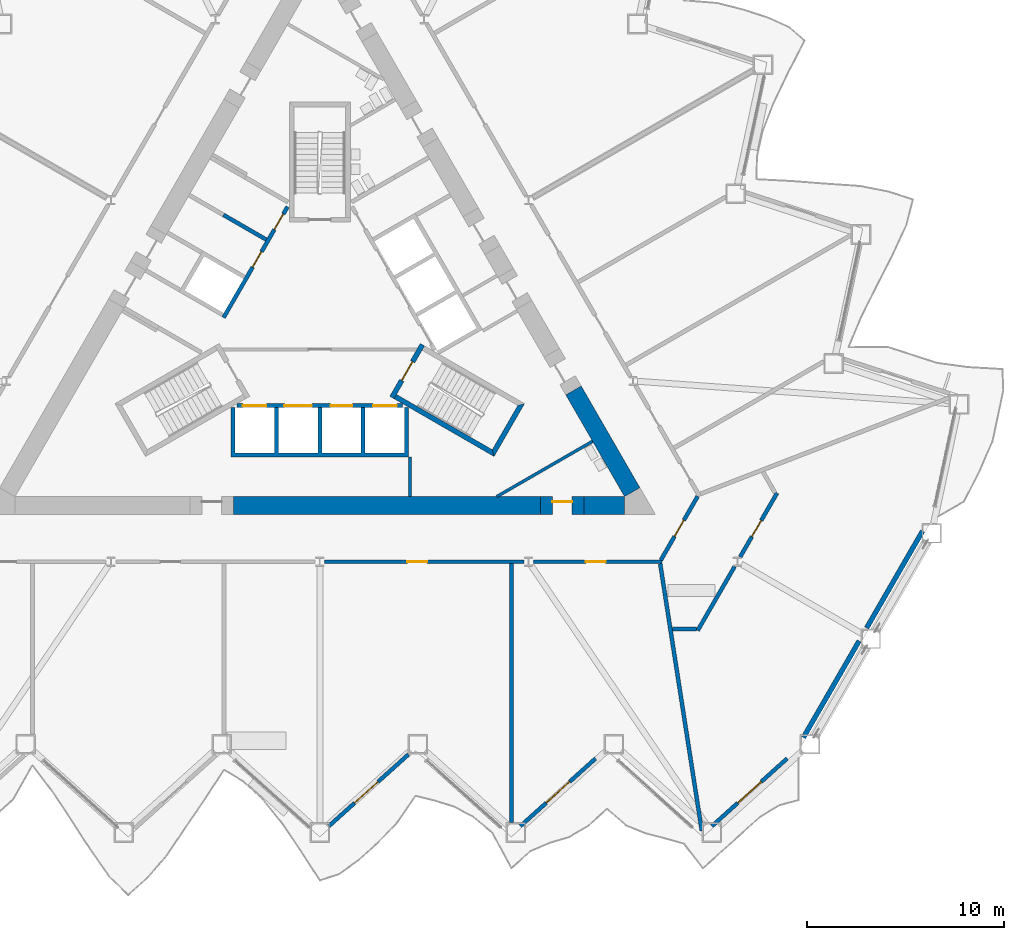
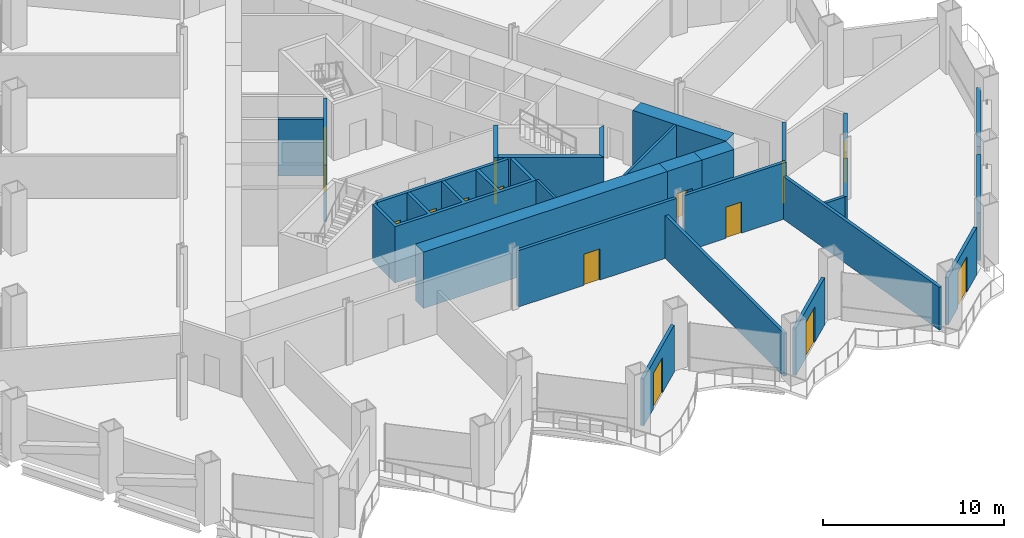
# One storey, part 10 of 21: 26 walls, 15 doors, 15 openings.
"""IFC4 building model written with IfcOpenShell, lengths in metres."""

from ifc_helpers import new_model, si_unit, direction, frame, frame_2d, origin, place, context, subcontext, project, spatial, polyline, rectangle, outline, extrude, material, layer, layer_set, type_object, element, fill, save


model = new_model("IFC4")

# Units and contexts
model_context = context("Model", 3, precision=1e-05, world=origin(), true_north=direction((0.0, 1.0)))
body_context = subcontext(model_context, "Body", "Model", "MODEL_VIEW")
ifc_project = project(units=[si_unit("LENGTHUNIT", "METRE"), si_unit("AREAUNIT", "SQUARE_METRE"), si_unit("VOLUMEUNIT", "CUBIC_METRE"), si_unit("PLANEANGLEUNIT", "RADIAN"), si_unit("MASSUNIT", "GRAM", prefix="KILO")], contexts=[model_context])

# Site, building, storey
site_placement = place(None, origin())
site = spatial("IfcSite", under=ifc_project, at=site_placement, CompositionType="ELEMENT")
building_placement = place(site_placement, origin())
building = spatial("IfcBuilding", under=site, at=building_placement, Name="Cormorant Prow Tower", CompositionType="ELEMENT")
storey_placement = place(building_placement, frame((0.0, 0.0, 51.0)))
storey = spatial("IfcBuildingStorey", under=building, at=storey_placement, Name="L10", CompositionType="ELEMENT", Elevation=51.0)

# Walls
ifc_material_1 = material(Name="Gypsum board partition")
ifc_layer_1 = layer(ifc_material_1, 0.14990234375)
ifc_layer_set_1 = layer_set([ifc_layer_1], Name="Gypsum board partition")
wall_type_1 = type_object("IfcWallType", Name="Core partition 150", PredefinedType="PARTITIONING", material=ifc_layer_set_1)
wall_1_placement = place(storey_placement, frame((4.574951171875, -6.906005859375, 0.0), z_axis=(0.0, 0.0, 1.0), x_axis=(0.0, -1.0, 0.0)))
element("IfcWall", 1, at=wall_1_placement, inside=storey, type_object=wall_type_1, Name="Service room partition", PredefinedType="PARTITIONING", context=body_context, shape_type="SweptSolid", body=[
    extrude(rectangle(XDim=2.009033203125, YDim=0.14990234375, at=frame_2d((1.00439453125, 0.0))), origin(), (0.0, 0.0, 1.0), 3.800048828125),
])
wall_2_placement = place(storey_placement, frame((13.822509765625, -6.111328125, 0.0), z_axis=(0.0, 0.0, 1.0), x_axis=(-0.866026802741, -0.499997576928, 0.0)))
element("IfcWall", 2, at=wall_2_placement, inside=storey, type_object=wall_type_1, Name="Service room partition", PredefinedType="PARTITIONING", context=body_context, shape_type="SweptSolid", body=[
    extrude(rectangle(XDim=5.607421875, YDim=0.14990234375, at=frame_2d((2.8037109375, 0.0))), origin(), (0.0, 0.0, 1.0), 3.800048828125),
])
ifc_material_2 = material(Name="Concrete 8000 psi", Category="concrete")
ifc_layer_2 = layer(ifc_material_2, 0.89990234375)
ifc_layer_set_2 = layer_set([ifc_layer_2], Name="Concrete 8000 psi")
wall_type_2 = type_object("IfcWallType", Name="Core shear wall 900", PredefinedType="SHEAR", material=ifc_layer_set_2)
wall_3_placement = place(storey_placement, frame((-4.37060546875, -9.364990234375, 0.0), z_axis=(0.0, 0.0, 1.0), x_axis=(1.0, 0.0, 0.0)))
element("IfcWall", 3, at=wall_3_placement, inside=storey, type_object=wall_type_2, Name="Core wall", PredefinedType="SHEAR", context=body_context, shape_type="SweptSolid", body=[
    extrude(rectangle(XDim=15.549560546875, YDim=0.89990234375, at=frame_2d((7.77490234375, 0.0))), origin(), (0.0, 0.0, 1.0), 3.800048828125),
])
wall_4_placement = place(storey_placement, frame((13.37890625, -9.364990234375, 0.0), z_axis=(0.0, 0.0, 1.0), x_axis=(1.0, 0.0, 0.0)))
element("IfcWall", 4, at=wall_4_placement, inside=storey, type_object=wall_type_2, Name="Core wall", PredefinedType="SHEAR", context=body_context, shape_type="SweptSolid", body=[
    extrude(rectangle(XDim=2.062255859375, YDim=0.89990234375, at=frame_2d((1.03125, 0.0))), origin(), (0.0, 0.0, 1.0), 3.800048828125),
])
wall_5_placement = place(storey_placement, frame((15.830810546875, -8.68994140625, 0.0), z_axis=(0.0, 0.0, 1.0), x_axis=(-0.499999419053, 0.866025739194, 0.0)))
element("IfcWall", 5, at=wall_5_placement, inside=storey, type_object=wall_type_2, Name="Core wall", PredefinedType="SHEAR", context=body_context, shape_type="SweptSolid", body=[
    extrude(rectangle(XDim=5.95166015625, YDim=0.89990234375, at=frame_2d((2.975830078125, 0.0))), origin(), (0.0, 0.0, 1.0), 3.800048828125),
])

# Wall, opening, door
wall_6_placement = place(storey_placement, frame((11.178955078125, -9.364990234375, 0.0), z_axis=(0.0, 0.0, 1.0), x_axis=(1.0, 0.0, 0.0)))
wall_6 = element("IfcWall", 6, at=wall_6_placement, inside=storey, type_object=wall_type_2, Name="Core wall door panel", PredefinedType="SHEAR", context=body_context, shape_type="SweptSolid", body=[
    extrude(rectangle(XDim=2.199951171875, YDim=0.89990234375, at=frame_2d((1.10009765625, 0.0))), origin(), (0.0, 0.0, 1.0), 3.800048828125),
])
opening_1_placement = place(wall_6_placement, frame((0.60009765625, 0.0, 0.0)))
opening_1 = element("IfcOpeningElement", 7, at=opening_1_placement, cuts=wall_6, Name="Opening L10-C15", PredefinedType="OPENING", context=body_context, shape_type="SweptSolid", body=[
    extrude(rectangle(XDim=1.0, YDim=2.10009765625, at=frame_2d((0.5, 1.050048828125))), frame((0.0, 0.4599609375, 0.0), z_axis=(0.0, -1.0, 0.0), x_axis=(1.0, 0.0, 0.0)), (0.0, 0.0, 1.0), 0.919921875),
])
ifc_material_3 = material(Name="Painted steel", Category="steel")
door_type_1 = type_object("IfcDoorType", Name="Service door 1000x2100", OperationType="NOTDEFINED", PredefinedType="DOOR", material=ifc_material_3)
door_1_placement = place(opening_1_placement, origin())
door_1 = element("IfcDoor", 8, at=door_1_placement, inside=storey, type_object=door_type_1, Name="Core door, Accessible WC L10", OperationType="SINGLE_SWING_RIGHT", OverallHeight=2.10009765625, OverallWidth=1.0, PredefinedType="DOOR", context=body_context, shape_type="SweptSolid", body=[
    extrude(rectangle(XDim=1.0, YDim=2.10009765625, at=frame_2d((0.5, 1.050048828125))), frame((0.0, 0.205078125, 0.0), z_axis=(0.0, -1.0, 0.0), x_axis=(1.0, 0.0, 0.0)), (0.0, 0.0, 1.0), 0.050048828125),
])
fill(opening_1, door_1)

ifc_material_4 = material(Name="Gypsum board corridor wall")
ifc_layer_3 = layer(ifc_material_4, 0.199951171875)
ifc_layer_set_3 = layer_set([ifc_layer_3], Name="Gypsum board corridor wall")
wall_type_3 = type_object("IfcWallType", Name="Corridor wall 200", PredefinedType="PARTITIONING", material=ifc_layer_set_3)
wall_7_placement = place(storey_placement, frame((0.2421875, -12.215087890625, 0.0), z_axis=(0.0, 0.0, 1.0), x_axis=(1.0, 0.0, 0.0)))
wall_7 = element("IfcWall", 9, at=wall_7_placement, inside=storey, type_object=wall_type_3, Name="Corridor wall", PredefinedType="PARTITIONING", context=body_context, shape_type="SweptSolid", body=[
    extrude(rectangle(XDim=10.093994140625, YDim=0.199951171875, at=frame_2d((5.046875, 0.0))), origin(), (0.0, 0.0, 1.0), 3.800048828125),
])
opening_2_placement = place(wall_7_placement, frame((4.193115234375, 0.0, 0.0)))
opening_2 = element("IfcOpeningElement", 10, at=opening_2_placement, cuts=wall_7, Name="Opening L10-F03", PredefinedType="OPENING", context=body_context, shape_type="SweptSolid", body=[
    extrude(rectangle(XDim=1.0, YDim=2.10009765625, at=frame_2d((0.5, 1.050048828125))), frame((0.0, 0.10986328125, 0.0), z_axis=(0.0, -1.0, 0.0), x_axis=(1.0, 0.0, 0.0)), (0.0, 0.0, 1.0), 0.219970703125),
])
ifc_material_5 = material(Name="Timber door leaf", Category="wood")
door_type_2 = type_object("IfcDoorType", Name="Office door 1000x2100", OperationType="NOTDEFINED", PredefinedType="DOOR", material=ifc_material_5)
door_2_placement = place(opening_2_placement, origin())
door_2 = element("IfcDoor", 11, at=door_2_placement, inside=storey, type_object=door_type_2, Name="Tenant reception door", OperationType="SINGLE_SWING_LEFT", OverallHeight=2.10009765625, OverallWidth=1.0, PredefinedType="DOOR", context=body_context, shape_type="SweptSolid", body=[
    extrude(rectangle(XDim=1.0, YDim=2.10009765625, at=frame_2d((0.5, 1.050048828125))), frame((0.0, 0.02490234375, 0.0), z_axis=(0.0, -1.0, 0.0), x_axis=(1.0, 0.0, 0.0)), (0.0, 0.0, 1.0), 0.050048828125),
])
fill(opening_2, door_2)

wall_8_placement = place(storey_placement, frame((10.82080078125, -12.215087890625, 0.0), z_axis=(0.0, 0.0, 1.0), x_axis=(1.0, 0.0, 0.0)))
wall_8 = element("IfcWall", 12, at=wall_8_placement, inside=storey, type_object=wall_type_3, Name="Corridor wall", PredefinedType="PARTITIONING", context=body_context, shape_type="SweptSolid", body=[
    extrude(rectangle(XDim=6.510009765625, YDim=0.199951171875, at=frame_2d((3.2548828125, 0.0))), origin(), (0.0, 0.0, 1.0), 3.800048828125),
])
opening_3_placement = place(wall_8_placement, frame((2.65478515625, 0.0, 0.0)))
opening_3 = element("IfcOpeningElement", 13, at=opening_3_placement, cuts=wall_8, Name="Opening L10-F04", PredefinedType="OPENING", context=body_context, shape_type="SweptSolid", body=[
    extrude(rectangle(XDim=1.0, YDim=2.10009765625, at=frame_2d((0.5, 1.050048828125))), frame((0.0, 0.10986328125, 0.0), z_axis=(0.0, -1.0, 0.0), x_axis=(1.0, 0.0, 0.0)), (0.0, 0.0, 1.0), 0.219970703125),
])
door_3_placement = place(opening_3_placement, origin())
door_3 = element("IfcDoor", 14, at=door_3_placement, inside=storey, type_object=door_type_2, Name="Tenant suite door", OperationType="SINGLE_SWING_RIGHT", OverallHeight=2.10009765625, OverallWidth=1.0, PredefinedType="DOOR", context=body_context, shape_type="SweptSolid", body=[
    extrude(rectangle(XDim=1.0, YDim=2.10009765625, at=frame_2d((0.5, 1.050048828125))), frame((0.0, 0.02490234375, 0.0), z_axis=(0.0, -1.0, 0.0), x_axis=(1.0, 0.0, 0.0)), (0.0, 0.0, 1.0), 0.050048828125),
])
fill(opening_3, door_3)

wall_9_placement = place(storey_placement, frame((17.281005859375, -12.12841796875, 0.0), z_axis=(0.0, 0.0, 1.0), x_axis=(0.499958791762, 0.866049194065, 0.0)))
wall_9 = element("IfcWall", 15, at=wall_9_placement, inside=storey, type_object=wall_type_3, Name="Corridor wall", PredefinedType="PARTITIONING", context=body_context, shape_type="SweptSolid", body=[
    extrude(rectangle(XDim=3.725830078125, YDim=0.199951171875, at=frame_2d((1.86279296875, 0.0))), origin(), (0.0, 0.0, 1.0), 3.800048828125),
])
opening_4_placement = place(wall_9_placement, frame((1.387939453125, 0.0, 0.0)))
opening_4 = element("IfcOpeningElement", 16, at=opening_4_placement, cuts=wall_9, Name="Opening L10-F05", PredefinedType="OPENING", context=body_context, shape_type="SweptSolid", body=[
    extrude(rectangle(XDim=0.949951171875, YDim=2.10009765625, at=frame_2d((0.47509765625, 1.050048828125))), frame((0.0, 0.10986328125, 0.0), z_axis=(0.0, -1.0, 0.0), x_axis=(1.0, 0.0, 0.0)), (0.0, 0.0, 1.0), 0.219970703125),
])
ifc_material_6 = material(Name="Timber door leaf", Category="wood")
door_type_3 = type_object("IfcDoorType", Name="Store door 950x2100", OperationType="NOTDEFINED", PredefinedType="DOOR", material=ifc_material_6)
door_4_placement = place(opening_4_placement, origin())
door_4 = element("IfcDoor", 17, at=door_4_placement, inside=storey, type_object=door_type_3, Name="Tea point and pantry door", OperationType="SINGLE_SWING_RIGHT", OverallHeight=2.10009765625, OverallWidth=0.949951171875, PredefinedType="DOOR", context=body_context, shape_type="SweptSolid", body=[
    extrude(rectangle(XDim=0.949951171875, YDim=2.10009765625, at=frame_2d((0.47509765625, 1.050048828125))), frame((0.0, 0.02490234375, 0.0), z_axis=(0.0, -1.0, 0.0), x_axis=(1.0, 0.0, 0.0)), (0.0, 0.0, 1.0), 0.050048828125),
])
fill(opening_4, door_4)

# Walls
ifc_material_7 = material(Name="Gypsum board demising wall")
ifc_layer_4 = layer(ifc_material_7, 0.199951171875)
ifc_layer_set_4 = layer_set([ifc_layer_4], Name="Gypsum board demising wall")
wall_type_4 = type_object("IfcWallType", Name="Demising wall 200", PredefinedType="PARTITIONING", material=ifc_layer_set_4)
wall_10_placement = place(storey_placement, frame((17.246337890625, -12.313720703125, 0.0), z_axis=(0.0, 0.0, 1.0), x_axis=(0.153927101979, -0.98808220674, 0.0)))
element("IfcWall", 18, at=wall_10_placement, inside=storey, type_object=wall_type_4, Name="Demising wall", PredefinedType="PARTITIONING", context=body_context, shape_type="SweptSolid", body=[
    extrude(rectangle(XDim=13.694091796875, YDim=0.199951171875, at=frame_2d((6.84716796875, 0.0))), origin(), (0.0, 0.0, 1.0), 2.88525390625),
])
wall_11_placement = place(storey_placement, frame((9.705322265625, -25.42138671875, 0.0), z_axis=(0.0, 0.0, 1.0), x_axis=(0.0, 1.0, 0.0)))
element("IfcWall", 19, at=wall_11_placement, inside=storey, type_object=wall_type_4, Name="Demising wall", PredefinedType="PARTITIONING", context=body_context, shape_type="SweptSolid", body=[
    extrude(rectangle(XDim=13.1064453125, YDim=0.199951171875, at=frame_2d((6.55322265625, 0.0))), origin(), (0.0, 0.0, 1.0), 2.88525390625),
])

# Wall, opening, door
wall_12_placement = place(storey_placement, frame((21.296875, -11.97265625, 0.0), z_axis=(0.0, 0.0, 1.0), x_axis=(0.500008291124, 0.866020616849, 0.0)))
wall_12 = element("IfcWall", 20, at=wall_12_placement, inside=storey, type_object=wall_type_4, Name="Demising wall", PredefinedType="PARTITIONING", context=body_context, shape_type="SweptSolid", body=[
    extrude(rectangle(XDim=3.74609375, YDim=0.199951171875, at=frame_2d((1.873046875, 0.0))), origin(), (0.0, 0.0, 1.0), 2.88525390625),
])
opening_5_placement = place(wall_12_placement, frame((1.189453125, 0.0, 0.0)))
opening_5 = element("IfcOpeningElement", 21, at=opening_5_placement, cuts=wall_12, Name="Opening L10-F06", PredefinedType="OPENING", context=body_context, shape_type="SweptSolid", body=[
    extrude(rectangle(XDim=0.949951171875, YDim=2.10009765625, at=frame_2d((0.47509765625, 1.050048828125))), frame((0.0, 0.10986328125, 0.0), z_axis=(0.0, -1.0, 0.0), x_axis=(1.0, 0.0, 0.0)), (0.0, 0.0, 1.0), 0.219970703125),
])
door_5_placement = place(opening_5_placement, origin())
door_5 = element("IfcDoor", 22, at=door_5_placement, inside=storey, type_object=door_type_3, Name="Print and copy room door", OperationType="SINGLE_SWING_RIGHT", OverallHeight=2.10009765625, OverallWidth=0.949951171875, PredefinedType="DOOR", context=body_context, shape_type="SweptSolid", body=[
    extrude(rectangle(XDim=0.949951171875, YDim=2.10009765625, at=frame_2d((0.47509765625, 1.050048828125))), frame((0.0, 0.02490234375, 0.0), z_axis=(0.0, -1.0, 0.0), x_axis=(1.0, 0.0, 0.0)), (0.0, 0.0, 1.0), 0.050048828125),
])
fill(opening_5, door_5)

# Walls
wall_13_placement = place(storey_placement, frame((19.143798828125, -15.70166015625, 0.0), z_axis=(0.0, 0.0, 1.0), x_axis=(0.500028947347, 0.866008690381, 0.0)))
element("IfcWall", 23, at=wall_13_placement, inside=storey, type_object=wall_type_4, Name="Demising wall", PredefinedType="PARTITIONING", context=body_context, shape_type="SweptSolid", body=[
    extrude(rectangle(XDim=3.746337890625, YDim=0.199951171875, at=frame_2d((1.873046875, 0.0))), origin(), (0.0, 0.0, 1.0), 2.88525390625),
])
wall_14_placement = place(storey_placement, frame((17.860595703125, -15.614990234375, 0.0), z_axis=(0.0, 0.0, 1.0), x_axis=(1.0, 0.0, 0.0)))
element("IfcWall", 24, at=wall_14_placement, inside=storey, type_object=wall_type_4, Name="Demising wall", PredefinedType="PARTITIONING", context=body_context, shape_type="SweptSolid", body=[
    extrude(rectangle(XDim=1.2333984375, YDim=0.199951171875, at=frame_2d((0.61669921875, 0.0))), origin(), (0.0, 0.0, 1.0), 2.88525390625),
])

# Wall, openings, doors
ifc_material_8 = material(Name="Concrete 5000 psi", Category="concrete")
ifc_layer_5 = layer(ifc_material_8, 0.199951171875)
ifc_layer_set_5 = layer_set([ifc_layer_5], Name="Concrete 5000 psi")
wall_type_5 = type_object("IfcWallType", Name="Lift lobby wall 200", PredefinedType="SOLIDWALL", material=ifc_layer_set_5)
wall_15_placement = place(storey_placement, frame((-4.1865234375, -4.300048828125, 0.0), z_axis=(0.0, 0.0, 1.0), x_axis=(1.0, 0.0, 0.0)))
wall_15 = element("IfcWall", 25, at=wall_15_placement, inside=storey, type_object=wall_type_5, Name="Lift lobby wall, S block", PredefinedType="SOLIDWALL", context=body_context, shape_type="SweptSolid", body=[
    extrude(rectangle(XDim=8.373046875, YDim=0.199951171875, at=frame_2d((4.1865234375, 0.0))), origin(), (0.0, 0.0, 1.0), 3.800048828125),
])
opening_6_placement = place(wall_15_placement, frame((0.28662109375, 0.0, 0.0)))
opening_6 = element("IfcOpeningElement", 26, at=opening_6_placement, cuts=wall_15, Name="Opening L10-C01", PredefinedType="OPENING", context=body_context, shape_type="SweptSolid", body=[
    extrude(rectangle(XDim=1.199951171875, YDim=2.10009765625, at=frame_2d((0.60009765625, 1.050048828125))), frame((0.0, 0.10986328125, 0.0), z_axis=(0.0, -1.0, 0.0), x_axis=(1.0, 0.0, 0.0)), (0.0, 0.0, 1.0), 0.219970703125),
])
opening_7_placement = place(wall_15_placement, frame((2.38671875, 0.0, 0.0)))
opening_7 = element("IfcOpeningElement", 27, at=opening_7_placement, cuts=wall_15, Name="Opening L10-C02", PredefinedType="OPENING", context=body_context, shape_type="SweptSolid", body=[
    extrude(rectangle(XDim=1.39990234375, YDim=2.10009765625, at=frame_2d((0.699951171875, 1.050048828125))), frame((0.0, 0.10986328125, 0.0), z_axis=(0.0, -1.0, 0.0), x_axis=(1.0, 0.0, 0.0)), (0.0, 0.0, 1.0), 0.219970703125),
])
opening_8_placement = place(wall_15_placement, frame((4.736572265625, 0.0, 0.0)))
opening_8 = element("IfcOpeningElement", 28, at=opening_8_placement, cuts=wall_15, Name="Opening L10-C03", PredefinedType="OPENING", context=body_context, shape_type="SweptSolid", body=[
    extrude(rectangle(XDim=1.10009765625, YDim=2.10009765625, at=frame_2d((0.550048828125, 1.050048828125))), frame((0.0, 0.10986328125, 0.0), z_axis=(0.0, -1.0, 0.0), x_axis=(1.0, 0.0, 0.0)), (0.0, 0.0, 1.0), 0.219970703125),
])
opening_9_placement = place(wall_15_placement, frame((6.88671875, 0.0, 0.0)))
opening_9 = element("IfcOpeningElement", 29, at=opening_9_placement, cuts=wall_15, Name="Opening L10-C04", PredefinedType="OPENING", context=body_context, shape_type="SweptSolid", body=[
    extrude(rectangle(XDim=1.199951171875, YDim=2.10009765625, at=frame_2d((0.60009765625, 1.050048828125))), frame((0.0, 0.10986328125, 0.0), z_axis=(0.0, -1.0, 0.0), x_axis=(1.0, 0.0, 0.0)), (0.0, 0.0, 1.0), 0.219970703125),
])
ifc_material_9 = material(Name="Painted steel", Category="steel")
door_type_4 = type_object("IfcDoorType", Name="Firefighting lift landing door 1200x2100", OperationType="SLIDING_TO_LEFT", PredefinedType="DOOR", material=ifc_material_9)
door_6_placement = place(opening_6_placement, origin())
door_6 = element("IfcDoor", 30, at=door_6_placement, inside=storey, type_object=door_type_4, Name="Landing door FL1", OperationType="SLIDING_TO_LEFT", OverallHeight=2.10009765625, OverallWidth=1.199951171875, PredefinedType="DOOR", context=body_context, shape_type="SweptSolid", body=[
    extrude(rectangle(XDim=1.199951171875, YDim=2.10009765625, at=frame_2d((0.60009765625, 1.050048828125))), frame((0.0, 0.02490234375, 0.0), z_axis=(0.0, -1.0, 0.0), x_axis=(1.0, 0.0, 0.0)), (0.0, 0.0, 1.0), 0.050048828125),
])
fill(opening_6, door_6)
door_7_placement = place(opening_9_placement, origin())
door_7 = element("IfcDoor", 31, at=door_7_placement, inside=storey, type_object=door_type_4, Name="Landing door FL2", OperationType="SLIDING_TO_LEFT", OverallHeight=2.10009765625, OverallWidth=1.199951171875, PredefinedType="DOOR", context=body_context, shape_type="SweptSolid", body=[
    extrude(rectangle(XDim=1.199951171875, YDim=2.10009765625, at=frame_2d((0.60009765625, 1.050048828125))), frame((0.0, 0.02490234375, 0.0), z_axis=(0.0, -1.0, 0.0), x_axis=(1.0, 0.0, 0.0)), (0.0, 0.0, 1.0), 0.050048828125),
])
fill(opening_9, door_7)
ifc_material_10 = material(Name="Painted steel", Category="steel")
door_type_5 = type_object("IfcDoorType", Name="Lift landing door 1100x2100", OperationType="SLIDING_TO_LEFT", PredefinedType="DOOR", material=ifc_material_10)
door_8_placement = place(opening_8_placement, origin())
door_8 = element("IfcDoor", 32, at=door_8_placement, inside=storey, type_object=door_type_5, Name="Landing door LR1", OperationType="SLIDING_TO_LEFT", OverallHeight=2.10009765625, OverallWidth=1.10009765625, PredefinedType="DOOR", context=body_context, shape_type="SweptSolid", body=[
    extrude(rectangle(XDim=1.10009765625, YDim=2.10009765625, at=frame_2d((0.550048828125, 1.050048828125))), frame((0.0, 0.02490234375, 0.0), z_axis=(0.0, -1.0, 0.0), x_axis=(1.0, 0.0, 0.0)), (0.0, 0.0, 1.0), 0.050048828125),
])
fill(opening_8, door_8)
ifc_material_11 = material(Name="Painted steel", Category="steel")
door_type_6 = type_object("IfcDoorType", Name="Service lift landing door 1400x2100", OperationType="SLIDING_TO_LEFT", PredefinedType="DOOR", material=ifc_material_11)
door_9_placement = place(opening_7_placement, origin())
door_9 = element("IfcDoor", 33, at=door_9_placement, inside=storey, type_object=door_type_6, Name="Landing door SL1", OperationType="SLIDING_TO_LEFT", OverallHeight=2.10009765625, OverallWidth=1.39990234375, PredefinedType="DOOR", context=body_context, shape_type="SweptSolid", body=[
    extrude(rectangle(XDim=1.39990234375, YDim=2.10009765625, at=frame_2d((0.699951171875, 1.050048828125))), frame((0.0, 0.02490234375, 0.0), z_axis=(0.0, -1.0, 0.0), x_axis=(1.0, 0.0, 0.0)), (0.0, 0.0, 1.0), 0.050048828125),
])
fill(opening_7, door_9)

wall_16_placement = place(storey_placement, frame((-1.630615234375, 5.775634765625, 0.0), z_axis=(0.0, 0.0, 1.0), x_axis=(-0.499992876559, -0.866029516466, 0.0)))
wall_16 = element("IfcWall", 34, at=wall_16_placement, inside=storey, type_object=wall_type_5, Name="Lift lobby wall, WNW block", PredefinedType="SOLIDWALL", context=body_context, shape_type="SweptSolid", body=[
    extrude(rectangle(XDim=6.486328125, YDim=0.199951171875, at=frame_2d((3.2431640625, 0.0))), origin(), (0.0, 0.0, 1.0), 3.800048828125),
])
opening_10_placement = place(wall_16_placement, frame((0.4365234375, 0.0, 0.0)))
opening_10 = element("IfcOpeningElement", 35, at=opening_10_placement, cuts=wall_16, Name="Opening L10-C09", PredefinedType="OPENING", context=body_context, shape_type="SweptSolid", body=[
    extrude(rectangle(XDim=0.89990234375, YDim=2.10009765625, at=frame_2d((0.449951171875, 1.050048828125))), frame((0.0, 0.10986328125, 0.0), z_axis=(0.0, -1.0, 0.0), x_axis=(1.0, 0.0, 0.0)), (0.0, 0.0, 1.0), 0.219970703125),
])
opening_11_placement = place(wall_16_placement, frame((2.63671875, 0.0, 0.0)))
opening_11 = element("IfcOpeningElement", 36, at=opening_11_placement, cuts=wall_16, Name="Opening L10-C10", PredefinedType="OPENING", context=body_context, shape_type="SweptSolid", body=[
    extrude(rectangle(XDim=0.89990234375, YDim=2.10009765625, at=frame_2d((0.449951171875, 1.050048828125))), frame((0.0, 0.10986328125, 0.0), z_axis=(0.0, -1.0, 0.0), x_axis=(1.0, 0.0, 0.0)), (0.0, 0.0, 1.0), 0.219970703125),
])
ifc_material_12 = material(Name="Painted steel", Category="steel")
door_type_7 = type_object("IfcDoorType", Name="Service door 900x2100", OperationType="NOTDEFINED", PredefinedType="DOOR", material=ifc_material_12)
door_10_placement = place(opening_10_placement, origin())
door_10 = element("IfcDoor", 37, at=door_10_placement, inside=storey, type_object=door_type_7, Name="Service door, Refuse store", OperationType="SINGLE_SWING_LEFT", OverallHeight=2.10009765625, OverallWidth=0.89990234375, PredefinedType="DOOR", context=body_context, shape_type="SweptSolid", body=[
    extrude(rectangle(XDim=0.89990234375, YDim=2.10009765625, at=frame_2d((0.449951171875, 1.050048828125))), frame((0.0, 0.02490234375, 0.0), z_axis=(0.0, -1.0, 0.0), x_axis=(1.0, 0.0, 0.0)), (0.0, 0.0, 1.0), 0.050048828125),
])
fill(opening_10, door_10)
door_11_placement = place(opening_11_placement, origin())
door_11 = element("IfcDoor", 38, at=door_11_placement, inside=storey, type_object=door_type_7, Name="Service door, Pantry store", OperationType="SINGLE_SWING_LEFT", OverallHeight=2.10009765625, OverallWidth=0.89990234375, PredefinedType="DOOR", context=body_context, shape_type="SweptSolid", body=[
    extrude(rectangle(XDim=0.89990234375, YDim=2.10009765625, at=frame_2d((0.449951171875, 1.050048828125))), frame((0.0, 0.02490234375, 0.0), z_axis=(0.0, -1.0, 0.0), x_axis=(1.0, 0.0, 0.0)), (0.0, 0.0, 1.0), 0.050048828125),
])
fill(opening_11, door_11)

# Walls
ifc_material_13 = material(Name="Concrete 8000 psi", Category="concrete")
ifc_layer_6 = layer(ifc_material_13, 0.199951171875)
ifc_layer_set_6 = layer_set([ifc_layer_6], Name="Concrete 8000 psi")
wall_type_6 = type_object("IfcWallType", Name="Lift shaft wall 200", PredefinedType="SHEAR", material=ifc_layer_set_6)
wall_17_placement = place(storey_placement, origin())
element("IfcWall", 39, at=wall_17_placement, inside=storey, type_object=wall_type_6, Name="Lift shaft walls, S block", PredefinedType="SHEAR", context=body_context, shape_type="SweptSolid", body=[
    extrude(outline(polyline([(4.5, -4.39990234375), (4.5, -6.906005859375), (-4.5, -6.906005859375), (-4.5, -4.39990234375), (-4.300048828125, -4.39990234375), (-4.300048828125, -6.699951171875), (-2.300048828125, -6.699951171875), (-2.300048828125, -4.39990234375), (-2.10009765625, -4.39990234375), (-2.10009765625, -6.699951171875), (-0.10009765625, -6.699951171875), (-0.10009765625, -4.39990234375), (0.10009765625, -4.39990234375), (0.10009765625, -6.699951171875), (2.10009765625, -6.699951171875), (2.10009765625, -4.39990234375), (2.300048828125, -4.39990234375), (2.300048828125, -6.699951171875), (4.300048828125, -6.699951171875), (4.300048828125, -4.39990234375), (4.5, -4.39990234375)])), origin(), (0.0, 0.0, 1.0), 3.800048828125),
])
wall_18_placement = place(storey_placement, origin())
element("IfcWall", 40, at=wall_18_placement, inside=storey, type_object=wall_type_6, Name="Lift shaft walls, WNW block", PredefinedType="SHEAR", context=body_context, shape_type="SweptSolid", body=[
    extrude(outline(polyline([(-2.760498046875, 4.018798828125), (-4.930908203125, 5.271728515625), (-4.830810546875, 5.44482421875), (-2.660400390625, 4.19189453125), (-2.760498046875, 4.018798828125)])), origin(), (0.0, 0.0, 1.0), 3.800048828125),
])
ifc_material_14 = material(Name="Concrete 8000 psi", Category="concrete")
ifc_layer_7 = layer(ifc_material_14, 0.25)
ifc_layer_set_7 = layer_set([ifc_layer_7], Name="Concrete 8000 psi")
wall_type_7 = type_object("IfcWallType", Name="Stair wall 250", PredefinedType="SHEAR", material=ifc_layer_set_7)
wall_19_placement = place(storey_placement, origin())
element("IfcWall", 41, at=wall_19_placement, inside=storey, type_object=wall_type_7, Name="Stair ST2 enclosure wall (flank)", PredefinedType="SHEAR", context=body_context, shape_type="SweptSolid", body=[
    extrude(outline(polyline([(3.76318359375, -3.95556640625), (8.82958984375, -6.880615234375), (8.738037109375, -6.5390625), (3.88818359375, -3.739013671875), (3.76318359375, -3.95556640625)])), origin(), (0.0, 0.0, 1.0), 3.800048828125),
])
wall_20_placement = place(storey_placement, origin())
element("IfcWall", 42, at=wall_20_placement, inside=storey, type_object=wall_type_7, Name="Stair ST2 enclosure wall (end)", PredefinedType="SHEAR", context=body_context, shape_type="SweptSolid", body=[
    extrude(outline(polyline([(8.82958984375, -6.880615234375), (10.37353515625, -4.206298828125), (10.031982421875, -4.2978515625), (8.738037109375, -6.5390625), (8.82958984375, -6.880615234375)])), origin(), (0.0, 0.0, 1.0), 3.800048828125),
])

# Wall, opening, door
wall_21_placement = place(storey_placement, frame((3.655029296875, -3.89306640625, 0.0), z_axis=(0.0, 0.0, 1.0), x_axis=(0.499982516597, 0.866035497597, 0.0)))
wall_21 = element("IfcWall", 43, at=wall_21_placement, inside=storey, type_object=wall_type_7, Name="Stair ST2 door wall", PredefinedType="SHEAR", context=body_context, shape_type="SweptSolid", body=[
    extrude(rectangle(XDim=3.087890625, YDim=0.25, at=frame_2d((1.5439453125, 0.0))), origin(), (0.0, 0.0, 1.0), 3.800048828125),
])
opening_12_placement = place(wall_21_placement, frame((0.993896484375, 0.0, 0.0)))
opening_12 = element("IfcOpeningElement", 44, at=opening_12_placement, cuts=wall_21, Name="Opening L10-C13", PredefinedType="OPENING", context=body_context, shape_type="SweptSolid", body=[
    extrude(rectangle(XDim=1.10009765625, YDim=2.10009765625, at=frame_2d((0.550048828125, 1.050048828125))), frame((0.0, 0.135009765625, 0.0), z_axis=(0.0, -1.0, 0.0), x_axis=(1.0, 0.0, 0.0)), (0.0, 0.0, 1.0), 0.27001953125),
])
ifc_material_15 = material(Name="Painted steel", Category="steel")
door_type_8 = type_object("IfcDoorType", Name="Stair door 1100x2100", OperationType="NOTDEFINED", PredefinedType="DOOR", material=ifc_material_15)
door_12_placement = place(opening_12_placement, origin())
door_12 = element("IfcDoor", 45, at=door_12_placement, inside=storey, type_object=door_type_8, Name="Stair ST2 door", OperationType="SINGLE_SWING_RIGHT", OverallHeight=2.10009765625, OverallWidth=1.10009765625, PredefinedType="DOOR", context=body_context, shape_type="SweptSolid", body=[
    extrude(rectangle(XDim=1.10009765625, YDim=2.10009765625, at=frame_2d((0.550048828125, 1.050048828125))), frame((0.0, 0.02490234375, 0.0), z_axis=(0.0, -1.0, 0.0), x_axis=(1.0, 0.0, 0.0)), (0.0, 0.0, 1.0), 0.050048828125),
])
fill(opening_12, door_12)

# Walls
ifc_material_16 = material(Name="Terracotta", Category="masonry")
ifc_layer_8 = layer(ifc_material_16, 0.25)
ifc_layer_set_8 = layer_set([ifc_layer_8], Name="Terracotta")
wall_type_8 = type_object("IfcWallType", Name="Terracotta bay wall 250", PredefinedType="SOLIDWALL", material=ifc_layer_set_8)
wall_22_placement = place(storey_placement, frame((24.506591796875, -21.115966796875, 0.0), z_axis=(0.0, 0.0, 1.0), x_axis=(0.49999579099, 0.866027833844, 0.0)))
element("IfcWall", 46, at=wall_22_placement, inside=storey, type_object=wall_type_8, Name="Terracotta bay wall ESE00", PredefinedType="SOLIDWALL", context=body_context, shape_type="SweptSolid", body=[
    extrude(rectangle(XDim=5.64404296875, YDim=0.25, at=frame_2d((2.822021484375, 0.0))), origin(), (0.0, 0.0, 1.0), 3.18896484375),
])
wall_23_placement = place(storey_placement, frame((27.71044921875, -15.56689453125, 0.0), z_axis=(0.0, 0.0, 1.0), x_axis=(0.499985074313, 0.866034020963, 0.0)))
element("IfcWall", 47, at=wall_23_placement, inside=storey, type_object=wall_type_8, Name="Terracotta bay wall ESE01", PredefinedType="SOLIDWALL", context=body_context, shape_type="SweptSolid", body=[
    extrude(rectangle(XDim=5.659912109375, YDim=0.25, at=frame_2d((2.830078125, 0.0))), origin(), (0.0, 0.0, 1.0), 3.18896484375),
])

# Wall, opening, door
ifc_material_17 = material(Name="Terracotta", Category="masonry")
ifc_layer_9 = layer(ifc_material_17, 0.199951171875)
ifc_layer_set_9 = layer_set([ifc_layer_9], Name="Terracotta")
wall_type_9 = type_object("IfcWallType", Name="Terracotta jamb wall 200", PredefinedType="SOLIDWALL", material=ifc_layer_set_9)
wall_24_placement = place(storey_placement, frame((0.45556640625, -25.61181640625, 0.0), z_axis=(0.0, 0.0, 1.0), x_axis=(0.743166762424, 0.669106242108, 0.0)))
wall_24 = element("IfcWall", 48, at=wall_24_placement, inside=storey, type_object=wall_type_9, Name="Terracotta jamb wall S05", PredefinedType="SOLIDWALL", context=body_context, shape_type="SweptSolid", body=[
    extrude(rectangle(XDim=5.4326171875, YDim=0.199951171875, at=frame_2d((2.71630859375, 0.0))), origin(), (0.0, 0.0, 1.0), 3.18896484375),
])
opening_13_placement = place(wall_24_placement, frame((1.761962890625, 0.0, 0.0)))
opening_13 = element("IfcOpeningElement", 49, at=opening_13_placement, cuts=wall_24, Name="Opening ED10.03", PredefinedType="OPENING", context=body_context, shape_type="SweptSolid", body=[
    extrude(rectangle(XDim=1.60009765625, YDim=2.39990234375, at=frame_2d((0.800048828125, 1.199951171875))), frame((0.0, 0.10986328125, 0.0), z_axis=(0.0, -1.0, 0.0), x_axis=(1.0, 0.0, 0.0)), (0.0, 0.0, 1.0), 0.219970703125),
])
ifc_material_18 = material(Name="Aluminium 6063-T6", Category="aluminium")
door_type_9 = type_object("IfcDoorType", Name="Balcony door 1600x2400", OperationType="DOUBLE_DOOR_SINGLE_SWING", PredefinedType="DOOR", material=ifc_material_18)
door_13_placement = place(opening_13_placement, origin())
door_13 = element("IfcDoor", 50, at=door_13_placement, inside=storey, type_object=door_type_9, Name="Balcony door S05 ED10.03", OperationType="DOUBLE_DOOR_SINGLE_SWING", OverallHeight=2.39990234375, OverallWidth=1.60009765625, PredefinedType="DOOR", context=body_context, shape_type="SweptSolid", body=[
    extrude(rectangle(XDim=1.60009765625, YDim=2.39990234375, at=frame_2d((0.800048828125, 1.199951171875))), frame((0.0, 0.02490234375, 0.0), z_axis=(0.0, -1.0, 0.0), x_axis=(1.0, 0.0, 0.0)), (0.0, 0.0, 1.0), 0.050048828125),
])
fill(opening_13, door_13)

wall_25_placement = place(storey_placement, frame((10.160888671875, -25.61181640625, 0.0), z_axis=(0.0, 0.0, 1.0), x_axis=(0.743159085791, 0.669114768337, 0.0)))
wall_25 = element("IfcWall", 51, at=wall_25_placement, inside=storey, type_object=wall_type_9, Name="Terracotta jamb wall S07", PredefinedType="SOLIDWALL", context=body_context, shape_type="SweptSolid", body=[
    extrude(rectangle(XDim=5.123779296875, YDim=0.199951171875, at=frame_2d((2.56201171875, 0.0))), origin(), (0.0, 0.0, 1.0), 3.18896484375),
])
opening_14_placement = place(wall_25_placement, frame((1.761962890625, 0.0, 0.0)))
opening_14 = element("IfcOpeningElement", 52, at=opening_14_placement, cuts=wall_25, Name="Opening ED10.04", PredefinedType="OPENING", context=body_context, shape_type="SweptSolid", body=[
    extrude(rectangle(XDim=1.60009765625, YDim=2.39990234375, at=frame_2d((0.800048828125, 1.199951171875))), frame((0.0, 0.10986328125, 0.0), z_axis=(0.0, -1.0, 0.0), x_axis=(1.0, 0.0, 0.0)), (0.0, 0.0, 1.0), 0.219970703125),
])
door_14_placement = place(opening_14_placement, origin())
door_14 = element("IfcDoor", 53, at=door_14_placement, inside=storey, type_object=door_type_9, Name="Balcony door S07 ED10.04", OperationType="DOUBLE_DOOR_SINGLE_SWING", OverallHeight=2.39990234375, OverallWidth=1.60009765625, PredefinedType="DOOR", context=body_context, shape_type="SweptSolid", body=[
    extrude(rectangle(XDim=1.60009765625, YDim=2.39990234375, at=frame_2d((0.800048828125, 1.199951171875))), frame((0.0, 0.02490234375, 0.0), z_axis=(0.0, -1.0, 0.0), x_axis=(1.0, 0.0, 0.0)), (0.0, 0.0, 1.0), 0.050048828125),
])
fill(opening_14, door_14)

wall_26_placement = place(storey_placement, frame((19.8662109375, -25.61181640625, 0.0), z_axis=(0.0, 0.0, 1.0), x_axis=(0.743159085791, 0.669114768337, 0.0)))
wall_26 = element("IfcWall", 54, at=wall_26_placement, inside=storey, type_object=wall_type_9, Name="Terracotta jamb wall S09", PredefinedType="SOLIDWALL", context=body_context, shape_type="SweptSolid", body=[
    extrude(rectangle(XDim=5.123779296875, YDim=0.199951171875, at=frame_2d((2.56201171875, 0.0))), origin(), (0.0, 0.0, 1.0), 3.18896484375),
])
opening_15_placement = place(wall_26_placement, frame((1.761962890625, 0.0, 0.0)))
opening_15 = element("IfcOpeningElement", 55, at=opening_15_placement, cuts=wall_26, Name="Opening ED10.05", PredefinedType="OPENING", context=body_context, shape_type="SweptSolid", body=[
    extrude(rectangle(XDim=1.60009765625, YDim=2.39990234375, at=frame_2d((0.800048828125, 1.199951171875))), frame((0.0, 0.10986328125, 0.0), z_axis=(0.0, -1.0, 0.0), x_axis=(1.0, 0.0, 0.0)), (0.0, 0.0, 1.0), 0.219970703125),
])
door_15_placement = place(opening_15_placement, origin())
door_15 = element("IfcDoor", 56, at=door_15_placement, inside=storey, type_object=door_type_9, Name="Balcony door S09 ED10.05", OperationType="DOUBLE_DOOR_SINGLE_SWING", OverallHeight=2.39990234375, OverallWidth=1.60009765625, PredefinedType="DOOR", context=body_context, shape_type="SweptSolid", body=[
    extrude(rectangle(XDim=1.60009765625, YDim=2.39990234375, at=frame_2d((0.800048828125, 1.199951171875))), frame((0.0, 0.02490234375, 0.0), z_axis=(0.0, -1.0, 0.0), x_axis=(1.0, 0.0, 0.0)), (0.0, 0.0, 1.0), 0.050048828125),
])
fill(opening_15, door_15)

save(model, "model.ifc")
